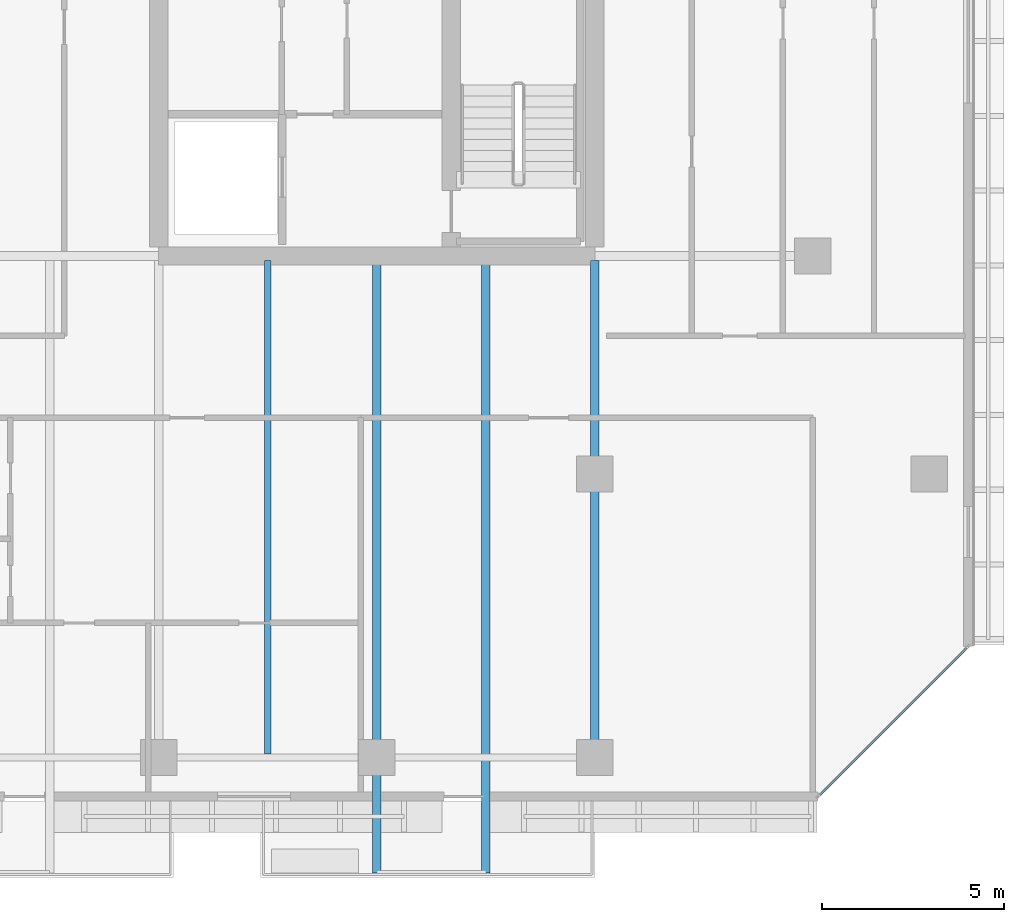
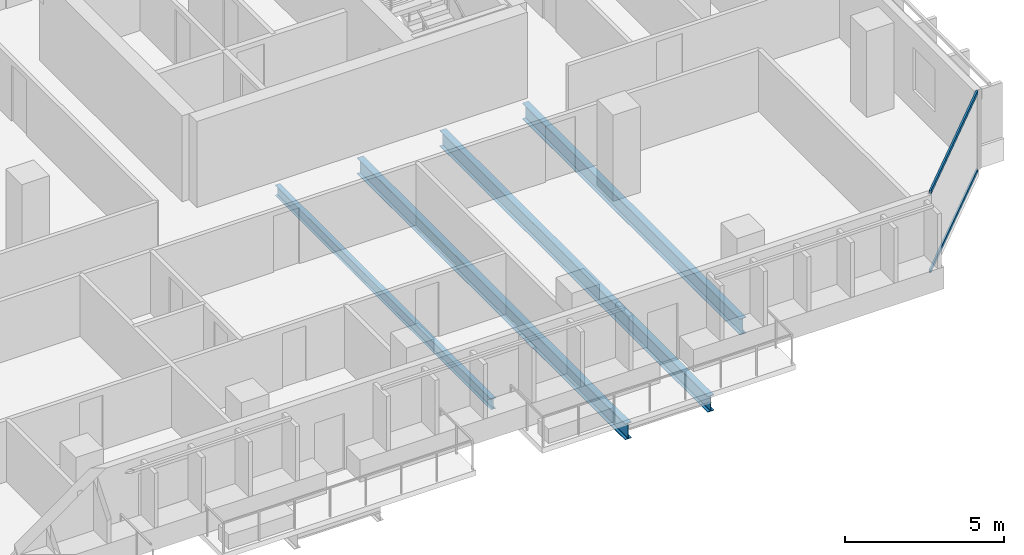
# One storey, part 16 of 35: 4 beams, 2 members, 1 element without a shape of its own.
"""IFC4 building model written with IfcOpenShell, lengths in metres."""

from ifc_helpers import new_model, si_unit, direction, frame, origin, origin_2d, place, context, subcontext, project, spatial, hollow_rectangle, i_section, extrude, material, layer, layer_set, material_profile, profile_set, type_object, element, aggregate, save


model = new_model("IFC4")

# Units and contexts
model_context = context("Model", 3, precision=1e-05, world=origin(), true_north=direction((0.0, 1.0)))
body_context = subcontext(model_context, "Body", "Model", "MODEL_VIEW")
ifc_project = project(units=[si_unit("LENGTHUNIT", "METRE"), si_unit("AREAUNIT", "SQUARE_METRE"), si_unit("VOLUMEUNIT", "CUBIC_METRE"), si_unit("PLANEANGLEUNIT", "RADIAN"), si_unit("MASSUNIT", "GRAM", prefix="KILO")], contexts=[model_context])

# Site, building, storey
site_placement = place(None, origin())
site = spatial("IfcSite", under=ifc_project, at=site_placement, CompositionType="ELEMENT")
building_placement = place(site_placement, origin())
building = spatial("IfcBuilding", under=site, at=building_placement, Name="Tanjung Sevakor Pilgrim Tower", CompositionType="ELEMENT")
storey_placement = place(building_placement, frame((0.0, 0.0, 92.070068359375)))
storey = spatial("IfcBuildingStorey", under=building, at=storey_placement, Name="L25", CompositionType="ELEMENT", Elevation=92.070068359375)

# Beams
ifc_material_1 = material(Name="Steel S355J2", Category="steel")
ifc_material_profile_1 = material_profile(ifc_material_1, i_section(OverallWidth=0.230224609375, OverallDepth=0.6171875, WebThickness=0.01318359375, FlangeThickness=0.022216796875, FilletRadius=0.0126953125, at=origin_2d()))
ifc_profile_set_1 = profile_set([ifc_material_profile_1], Name="Steel S355J2")
beam_type_1 = type_object("IfcBeamType", Name="BM-B-G3-UB_610x229x140", PredefinedType="BEAM", material=ifc_profile_set_1)
beam_1_placement = place(storey_placement, frame((84.0, 24.47265625, -0.528564453125), z_axis=(0.0, -1.0, 0.0), x_axis=(1.0, 0.0, 0.0)))
element("IfcBeam", 1, at=beam_1_placement, inside=storey, type_object=beam_type_1, Name="L25 Balcony Cantilever Beam MAIN-S4-1", PredefinedType="BEAM", context=body_context, shape_type="SweptSolid", body=[
    extrude(i_section(OverallWidth=0.230224609375, OverallDepth=0.6171875, WebThickness=0.01318359375, FlangeThickness=0.022216796875, FilletRadius=0.0126953125, at=origin_2d()), origin(), (0.0, 0.0, 1.0), 16.8525390625),
])
beam_2_placement = place(storey_placement, frame((90.0, 10.800048828125, -0.528564453125), z_axis=(0.0, 1.0, 0.0), x_axis=(-1.0, 0.0, 0.0)))
element("IfcBeam", 2, at=beam_2_placement, inside=storey, type_object=beam_type_1, Name="L25 MAIN Girder 025", PredefinedType="BEAM", context=body_context, shape_type="SweptSolid", body=[
    extrude(i_section(OverallWidth=0.230224609375, OverallDepth=0.6171875, WebThickness=0.01318359375, FlangeThickness=0.022216796875, FilletRadius=0.0126953125, at=origin_2d()), origin(), (0.0, 0.0, 1.0), 13.672607421875),
])
ifc_material_2 = material(Name="Steel S355J2", Category="steel")
ifc_material_profile_2 = material_profile(ifc_material_2, i_section(OverallWidth=0.22900390625, OverallDepth=0.6123046875, WebThickness=0.011962890625, FlangeThickness=0.01953125, FilletRadius=0.0126953125, at=origin_2d()))
ifc_profile_set_2 = profile_set([ifc_material_profile_2], Name="Steel S355J2")
beam_type_2 = type_object("IfcBeamType", Name="BM-B-G4-UB_610x229x125", PredefinedType="BEAM", material=ifc_profile_set_2)
beam_3_placement = place(storey_placement, frame((87.0, 24.47265625, -0.526123046875), z_axis=(0.0, -1.0, 0.0), x_axis=(1.0, 0.0, 0.0)))
element("IfcBeam", 3, at=beam_3_placement, inside=storey, type_object=beam_type_2, Name="L25 Balcony Cantilever Beam MAIN-S4-2", PredefinedType="BEAM", context=body_context, shape_type="SweptSolid", body=[
    extrude(i_section(OverallWidth=0.22900390625, OverallDepth=0.6123046875, WebThickness=0.011962890625, FlangeThickness=0.01953125, FilletRadius=0.0126953125, at=origin_2d()), origin(), (0.0, 0.0, 1.0), 16.8525390625),
])
ifc_material_3 = material(Name="Steel S355J2", Category="steel")
ifc_material_profile_3 = material_profile(ifc_material_3, i_section(OverallWidth=0.1787109375, OverallDepth=0.409423828125, WebThickness=0.0087890625, FlangeThickness=0.014404296875, FilletRadius=0.01025390625, at=origin_2d()))
ifc_profile_set_3 = profile_set([ifc_material_profile_3], Name="Steel S355J2")
beam_type_3 = type_object("IfcBeamType", Name="BM-B-J3-UB_406x178x67", PredefinedType="JOIST", material=ifc_profile_set_3)
beam_4_placement = place(storey_placement, frame((81.0, 10.89990234375, -0.4248046875), z_axis=(0.0, 1.0, 0.0), x_axis=(-1.0, 0.0, 0.0)))
element("IfcBeam", 4, at=beam_4_placement, inside=storey, type_object=beam_type_3, Name="L25 MAIN Joist 023", PredefinedType="JOIST", context=body_context, shape_type="SweptSolid", body=[
    extrude(i_section(OverallWidth=0.1787109375, OverallDepth=0.409423828125, WebThickness=0.0087890625, FlangeThickness=0.014404296875, FilletRadius=0.01025390625, at=origin_2d()), origin(), (0.0, 0.0, 1.0), 13.57275390625),
])

# Curtain wall, members
ifc_material_4 = material(Name="Aluminium 6063-T6 and Low-E Glass", Category="aluminium")
ifc_layer = layer(ifc_material_4, 0.179931640625)
ifc_layer_set = layer_set([ifc_layer], Name="CW-SYS-CHAM")
curtain_wall_type = type_object("IfcCurtainWallType", Name="CW-SYS-CHAM", PredefinedType="NOTDEFINED", material=ifc_layer_set)
curtain_wall_placement = place(storey_placement, origin())
curtain_wall = element("IfcCurtainWall", 5, at=curtain_wall_placement, inside=storey, type_object=curtain_wall_type, Name="L25 Curtain Wall CW-CHM-L25-MAIN-5", PredefinedType="NOTDEFINED")
ifc_material_5 = material(Name="Aluminium 6063-T6", Category="aluminium")
ifc_material_profile_4 = material_profile(ifc_material_5, hollow_rectangle(XDim=0.06494140625, YDim=0.139892578125, WallThickness=0.00390625, at=origin_2d()))
ifc_profile_set_4 = profile_set([ifc_material_profile_4], Name="Aluminium 6063-T6")
member_type = type_object("IfcMemberType", Name="TYPE-CWT-1", PredefinedType="USERDEFINED", material=ifc_profile_set_4)
member_1_placement = place(storey_placement, frame((96.194091796875, 9.77099609375, 0.032470703125), z_axis=(0.707106781187, 0.707106781187, 0.0), x_axis=(-0.707106781187, 0.707106781187, 0.0)))
member_1 = element("IfcMember", 6, at=member_1_placement, type_object=member_type, Name="CW-CHM transom 1.1", ObjectType="TRANSOM", PredefinedType="USERDEFINED", context=body_context, shape_type="SweptSolid", body=[
    extrude(hollow_rectangle(XDim=0.06494140625, YDim=0.139892578125, WallThickness=0.00390625, at=origin_2d()), origin(), (0.0, 0.0, 1.0), 5.706298828125),
])
member_2_placement = place(storey_placement, frame((96.194091796875, 9.77099609375, 3.04736328125), z_axis=(0.707106781187, 0.707106781187, 0.0), x_axis=(-0.707106781187, 0.707106781187, 0.0)))
member_2 = element("IfcMember", 7, at=member_2_placement, type_object=member_type, Name="CW-CHM transom 1.2", ObjectType="TRANSOM", PredefinedType="USERDEFINED", context=body_context, shape_type="SweptSolid", body=[
    extrude(hollow_rectangle(XDim=0.06494140625, YDim=0.139892578125, WallThickness=0.00390625, at=origin_2d()), origin(), (0.0, 0.0, 1.0), 5.706298828125),
])
aggregate(curtain_wall, [member_1, member_2])

save(model, "model.ifc")
